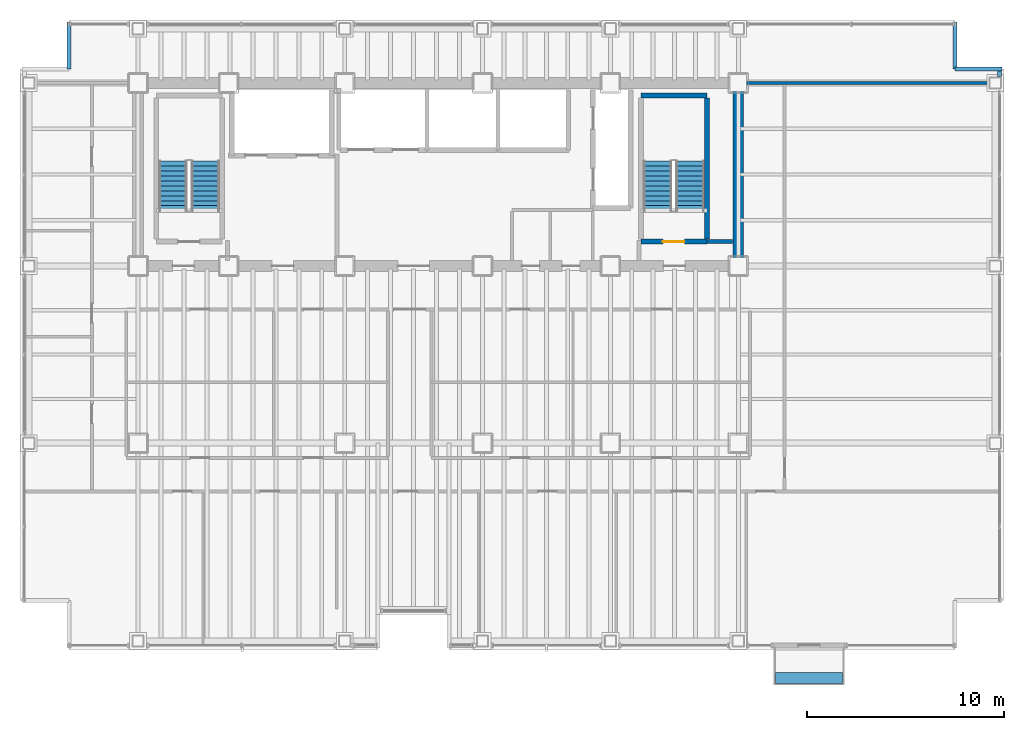
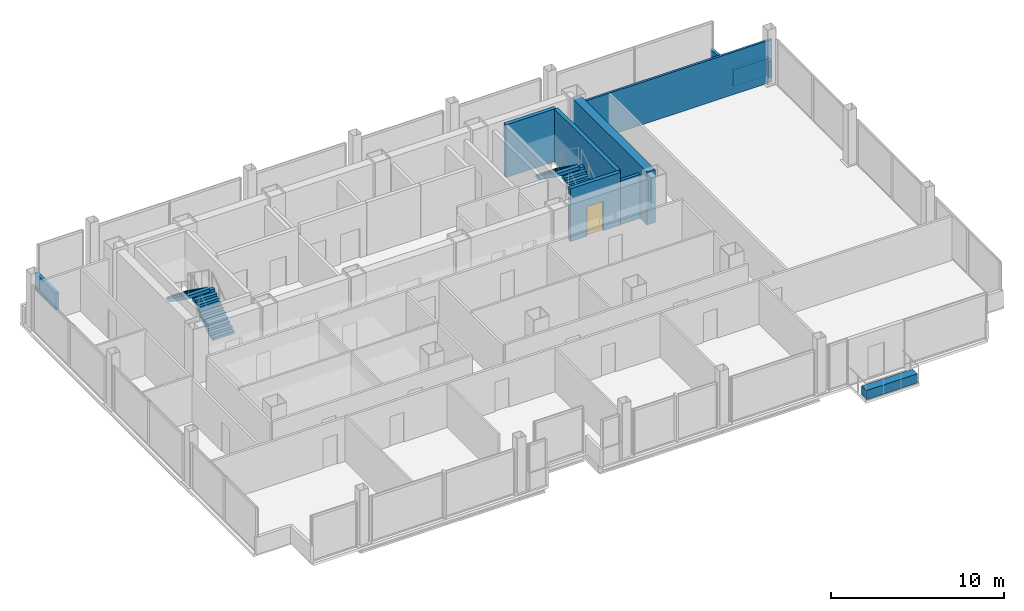
# One storey, part 20 of 22: 10 walls, 4 stair flights, 1 discrete accessory, 1 door, 1 opening, 2 elements without a shape of their own.
"""IFC4 building model written with IfcOpenShell, lengths in metres."""

from ifc_helpers import new_model, si_unit, direction, frame, frame_2d, origin, origin_2d, place, context, subcontext, project, spatial, polyline, rectangle, outline, extrude, material, layer, layer_set, type_object, element, fill, aggregate, save


model = new_model("IFC4")

# Units and contexts
model_context = context("Model", 3, precision=1e-05, world=origin(), true_north=direction((0.0, 1.0)))
body_context = subcontext(model_context, "Body", "Model", "MODEL_VIEW")
ifc_project = project(units=[si_unit("LENGTHUNIT", "METRE"), si_unit("AREAUNIT", "SQUARE_METRE"), si_unit("VOLUMEUNIT", "CUBIC_METRE"), si_unit("PLANEANGLEUNIT", "RADIAN"), si_unit("MASSUNIT", "GRAM", prefix="KILO")], contexts=[model_context])

# Site, building, storey
site_placement = place(None, origin())
site = spatial("IfcSite", under=ifc_project, at=site_placement, CompositionType="ELEMENT")
building_placement = place(site_placement, origin())
building = spatial("IfcBuilding", under=site, at=building_placement, Name="Noeulbin Bourse Tower", CompositionType="ELEMENT")
storey_placement = place(building_placement, frame((0.0, 0.0, 85.0)))
storey = spatial("IfcBuildingStorey", under=building, at=storey_placement, Name="L21", CompositionType="ELEMENT", Elevation=85.0)

# Walls
ifc_material_1 = material(Name="Concrete C60/75", Category="concrete")
ifc_layer_1 = layer(ifc_material_1, 0.550048828125)
ifc_layer_set_1 = layer_set([ifc_layer_1], Name="Concrete C60/75")
wall_type_1 = type_object("IfcWallType", Name="WAL-CORE-550", PredefinedType="SHEAR", material=ifc_layer_set_1)
wall_1_placement = place(storey_placement, frame((44.0, 29.35009765625, 0.0), z_axis=(0.0, 0.0, 1.0), x_axis=(0.0, 1.0, 0.0)))
element("IfcWall", 1, at=wall_1_placement, inside=storey, type_object=wall_type_1, Name="Rear Core East Shear Wall L21", PredefinedType="SHEAR", context=body_context, shape_type="SweptSolid", body=[
    extrude(rectangle(XDim=8.599853515625, YDim=0.550048828125, at=frame_2d((4.2998046875, 0.0))), origin(), (0.0, 0.0, 1.0), 3.719970703125),
])
ifc_material_2 = material(Name="Concrete C40/50", Category="concrete")
ifc_layer_2 = layer(ifc_material_2, 0.199951171875)
ifc_layer_set_2 = layer_set([ifc_layer_2], Name="Concrete C40/50")
wall_type_2 = type_object("IfcWallType", Name="WAL-FIRE-200", PredefinedType="STANDARD", material=ifc_layer_set_2)
wall_2_placement = place(storey_placement, frame((42.39990234375, 30.239990234375, 0.0), z_axis=(0.0, 0.0, 1.0), x_axis=(1.0, 0.0, 0.0)))
element("IfcWall", 2, at=wall_2_placement, inside=storey, type_object=wall_type_2, Name="Interior Partition Wall L21-01", PredefinedType="STANDARD", context=body_context, shape_type="SweptSolid", body=[
    extrude(rectangle(XDim=1.315185546875, YDim=0.199951171875, at=frame_2d((0.65771484375, 0.0))), origin(), (0.0, 0.0, 1.0), 3.10009765625),
])
ifc_layer_3 = layer(ifc_material_2, 0.199951171875)
ifc_layer_set_3 = layer_set([ifc_layer_3], Name="Concrete C40/50")
wall_type_3 = type_object("IfcWallType", Name="WAL-PAR-200", PredefinedType="PARAPET", material=ifc_layer_set_3)
wall_3_placement = place(storey_placement, frame((57.280029296875, 38.6201171875, 0.0), z_axis=(0.0, 0.0, 1.0), x_axis=(0.0, 1.0, 0.0)))
element("IfcWall", 3, at=wall_3_placement, inside=storey, type_object=wall_type_3, Name="Perimeter Pier Spandrel Parapet L21-E2", PredefinedType="PARAPET", context=body_context, shape_type="SweptSolid", body=[
    extrude(rectangle(XDim=0.27978515625, YDim=0.199951171875, at=frame_2d((0.139892578125, 0.0))), origin(), (0.0, 0.0, 1.0), 1.199951171875),
])
for number, where, z_axis, x_axis, name in (
    (4, (10.0, 39.0, 0.0), (0.0, 0.0, 1.0), (0.0, 1.0, 0.0), "Corner Notch Parapet L21-NW2"),
    (5, (55.0, 41.39990234375, 0.0), (0.0, 0.0, 1.0), (0.0, -1.0, 0.0), "Corner Notch Parapet L21-NE1"),
    (6, (55.0, 39.0, 0.0), (0.0, 0.0, 1.0), (1.0, 0.0, 0.0), "Corner Notch Parapet L21-NE2"),
):
    element("IfcWall", number, at=place(storey_placement, frame(where, z_axis=z_axis, x_axis=x_axis)), inside=storey, type_object=wall_type_3, Name=name, PredefinedType="PARAPET", context=body_context, shape_type="SweptSolid", body=[
        extrude(rectangle(XDim=2.39990234375, YDim=0.199951171875, at=frame_2d((1.199951171875, 0.0))), origin(), (0.0, 0.0, 1.0), 1.199951171875),
    ])
ifc_material_3 = material(Name="Steel Stud Acoustic Gypsum Board", Category="steel")
ifc_layer_4 = layer(ifc_material_3, 0.14990234375)
ifc_layer_set_4 = layer_set([ifc_layer_4], Name="Steel Stud Acoustic Gypsum Board")
wall_type_4 = type_object("IfcWallType", Name="WAL-PRT-150", PredefinedType="PARTITIONING", material=ifc_layer_set_4)
wall_4_placement = place(storey_placement, frame((44.0, 38.300048828125, 0.0), z_axis=(0.0, 0.0, 1.0), x_axis=(1.0, 0.0, 0.0)))
element("IfcWall", 7, at=wall_4_placement, inside=storey, type_object=wall_type_4, Name="Interior Partition Wall L21-08", PredefinedType="PARTITIONING", context=body_context, shape_type="SweptSolid", body=[
    extrude(rectangle(XDim=13.18994140625, YDim=0.14990234375, at=frame_2d((6.594970703125, 0.0))), origin(), (0.0, 0.0, 1.0), 3.0),
])

# Wall, opening, door
ifc_layer_5 = layer(ifc_material_2, 0.25)
ifc_layer_set_5 = layer_set([ifc_layer_5], Name="Concrete C40/50")
wall_type_5 = type_object("IfcWallType", Name="WAL-SHFT-250", PredefinedType="STANDARD", material=ifc_layer_set_5)
wall_5_placement = place(storey_placement, frame((39.06005859375, 30.235107421875, 0.0), z_axis=(0.0, 0.0, 1.0), x_axis=(1.0, 0.0, 0.0)))
wall_5 = element("IfcWall", 8, at=wall_5_placement, inside=storey, type_object=wall_type_5, Name="Stair ST-2 South Shaft Wall L21", PredefinedType="STANDARD", context=body_context, shape_type="SweptSolid", body=[
    extrude(rectangle(XDim=3.33984375, YDim=0.25, at=frame_2d((1.669921875, 0.0))), origin(), (0.0, 0.0, 1.0), 3.719970703125),
])
opening_placement = place(wall_5_placement, frame((1.10009765625, 0.0, 0.0)))
opening = element("IfcOpeningElement", 9, at=opening_placement, cuts=wall_5, Name="Opening FD-11", PredefinedType="OPENING", context=body_context, shape_type="SweptSolid", body=[
    extrude(rectangle(XDim=1.10009765625, YDim=2.080078125, at=frame_2d((0.550048828125, 1.0400390625))), frame((0.0, 0.135009765625, 0.0), z_axis=(0.0, -1.0, 0.0), x_axis=(1.0, 0.0, 0.0)), (0.0, 0.0, 1.0), 0.27001953125),
])
ifc_material_4 = material(Name="Fire-Rated Insulated Steel", Category="steel")
door_type = type_object("IfcDoorType", Name="DR-FD60-1100", OperationType="SINGLE_SWING_LEFT", PredefinedType="DOOR", material=ifc_material_4)
door_placement = place(opening_placement, origin())
door = element("IfcDoor", 10, at=door_placement, inside=storey, type_object=door_type, Name="Protected Stair Entry Door ST2-L21", OperationType="SINGLE_SWING_LEFT", OverallHeight=2.080078125, OverallWidth=1.10009765625, PredefinedType="DOOR", context=body_context, shape_type="SweptSolid", body=[
    extrude(rectangle(XDim=1.10009765625, YDim=2.080078125, at=frame_2d((0.550048828125, 1.0400390625))), frame((0.0, 0.02490234375, 0.0), z_axis=(0.0, -1.0, 0.0), x_axis=(1.0, 0.0, 0.0)), (0.0, 0.0, 1.0), 0.050048828125),
])
fill(opening, door)

# Walls
wall_6_placement = place(storey_placement, frame((39.06005859375, 37.6689453125, 0.0), z_axis=(0.0, 0.0, 1.0), x_axis=(1.0, 0.0, 0.0)))
element("IfcWall", 11, at=wall_6_placement, inside=storey, type_object=wall_type_5, Name="Stair ST-2 North Shaft Wall L21", PredefinedType="STANDARD", context=body_context, shape_type="SweptSolid", body=[
    extrude(rectangle(XDim=3.33984375, YDim=0.25, at=frame_2d((1.669921875, 0.0))), origin(), (0.0, 0.0, 1.0), 3.719970703125),
])
wall_7_placement = place(storey_placement, frame((42.405029296875, 30.360107421875, 0.0), z_axis=(0.0, 0.0, 1.0), x_axis=(0.0, 1.0, 0.0)))
element("IfcWall", 12, at=wall_7_placement, inside=storey, type_object=wall_type_5, Name="Stair ST-2 East Shaft Wall L21", PredefinedType="STANDARD", context=body_context, shape_type="SweptSolid", body=[
    extrude(rectangle(XDim=7.183837890625, YDim=0.25, at=frame_2d((3.591796875, 0.0))), origin(), (0.0, 0.0, 1.0), 3.719970703125),
])

# Stair, stair flights
stair_type = type_object("IfcStairType", Name="STR-CORE-1560", PredefinedType="HALF_TURN_STAIR", material=ifc_material_2)
stair_1_placement = place(storey_placement, origin())
stair_1 = element("IfcStair", 13, at=stair_1_placement, inside=storey, type_object=stair_type, Name="L21 ST-1", PredefinedType="HALF_TURN_STAIR")
stair_flight_type = type_object("IfcStairFlightType", Name="SFL-CORE-1560", PredefinedType="STRAIGHT", material=ifc_material_2)
stair_flight_1_placement = place(storey_placement, frame((16.925048828125, 31.81005859375, 0.0), z_axis=(0.0, 0.0, 1.0), x_axis=(0.0, 1.0, 0.0)))
stair_flight_1 = element("IfcStairFlight", 14, at=stair_flight_1_placement, type_object=stair_flight_type, Name="ST-1 flight 1", NumberOfRisers=11, NumberOfTreads=10, PredefinedType="STRAIGHT", RiserHeight=0.177272727, TreadLength=0.252, context=body_context, shape_type="SweptSolid", body=[
    extrude(outline(polyline([(0.0, 0.0), (0.0, 0.17724609375), (0.251953125, 0.17724609375), (0.251953125, 0.3544921875), (0.50390625, 0.3544921875), (0.50390625, 0.53173828125), (0.756103515625, 0.53173828125), (0.756103515625, 0.708984375), (1.008056640625, 0.708984375), (1.008056640625, 0.886474609375), (1.260009765625, 0.886474609375), (1.260009765625, 1.063720703125), (1.511962890625, 1.063720703125), (1.511962890625, 1.240966796875), (1.763916015625, 1.240966796875), (1.763916015625, 1.418212890625), (2.01611328125, 1.418212890625), (2.01611328125, 1.595458984375), (2.26806640625, 1.595458984375), (2.26806640625, 1.772705078125), (2.52001953125, 1.772705078125), (2.52001953125, 1.949951171875), (2.52001953125, 1.552734375), (0.312744140625, 0.0), (0.0, 0.0)])), frame((0.0, 0.72509765625, 0.0), z_axis=(0.0, -1.0, 0.0), x_axis=(1.0, 0.0, 0.0)), (0.0, 0.0, 1.0), 1.449951171875),
])
stair_flight_2_placement = place(storey_placement, frame((15.27490234375, 34.330078125, 1.949951171875), z_axis=(0.0, 0.0, 1.0), x_axis=(0.0, -1.0, 0.0)))
stair_flight_2 = element("IfcStairFlight", 15, at=stair_flight_2_placement, type_object=stair_flight_type, Name="ST-1 flight 2", NumberOfRisers=11, NumberOfTreads=10, PredefinedType="STRAIGHT", RiserHeight=0.177272727, TreadLength=0.252, context=body_context, shape_type="SweptSolid", body=[
    extrude(outline(polyline([(0.0, 0.0), (0.0, 0.17724609375), (0.251953125, 0.17724609375), (0.251953125, 0.3544921875), (0.50390625, 0.3544921875), (0.50390625, 0.53173828125), (0.756103515625, 0.53173828125), (0.756103515625, 0.708984375), (1.008056640625, 0.708984375), (1.008056640625, 0.886474609375), (1.260009765625, 0.886474609375), (1.260009765625, 1.063720703125), (1.511962890625, 1.063720703125), (1.511962890625, 1.240966796875), (1.763916015625, 1.240966796875), (1.763916015625, 1.418212890625), (2.01611328125, 1.418212890625), (2.01611328125, 1.595458984375), (2.26806640625, 1.595458984375), (2.26806640625, 1.772705078125), (2.52001953125, 1.772705078125), (2.52001953125, 1.949951171875), (2.52001953125, 1.552734375), (0.312744140625, 0.0), (0.0, 0.0)])), frame((0.0, 0.72509765625, 0.0), z_axis=(0.0, -1.0, 0.0), x_axis=(1.0, 0.0, 0.0)), (0.0, 0.0, 1.0), 1.449951171875),
])
aggregate(stair_1, [stair_flight_1, stair_flight_2])

stair_2_placement = place(storey_placement, origin())
stair_2 = element("IfcStair", 16, at=stair_2_placement, inside=storey, type_object=stair_type, Name="L21 ST-2", PredefinedType="HALF_TURN_STAIR")
stair_flight_3_placement = place(storey_placement, frame((41.554931640625, 31.81005859375, 0.0), z_axis=(0.0, 0.0, 1.0), x_axis=(0.0, 1.0, 0.0)))
stair_flight_3 = element("IfcStairFlight", 17, at=stair_flight_3_placement, type_object=stair_flight_type, Name="ST-2 flight 1", NumberOfRisers=11, NumberOfTreads=10, PredefinedType="STRAIGHT", RiserHeight=0.177272727, TreadLength=0.252, context=body_context, shape_type="SweptSolid", body=[
    extrude(outline(polyline([(0.0, 0.0), (0.0, 0.17724609375), (0.251953125, 0.17724609375), (0.251953125, 0.3544921875), (0.50390625, 0.3544921875), (0.50390625, 0.53173828125), (0.756103515625, 0.53173828125), (0.756103515625, 0.708984375), (1.008056640625, 0.708984375), (1.008056640625, 0.886474609375), (1.260009765625, 0.886474609375), (1.260009765625, 1.063720703125), (1.511962890625, 1.063720703125), (1.511962890625, 1.240966796875), (1.763916015625, 1.240966796875), (1.763916015625, 1.418212890625), (2.01611328125, 1.418212890625), (2.01611328125, 1.595458984375), (2.26806640625, 1.595458984375), (2.26806640625, 1.772705078125), (2.52001953125, 1.772705078125), (2.52001953125, 1.949951171875), (2.52001953125, 1.552734375), (0.312744140625, 0.0), (0.0, 0.0)])), frame((0.0, 0.72509765625, 0.0), z_axis=(0.0, -1.0, 0.0), x_axis=(1.0, 0.0, 0.0)), (0.0, 0.0, 1.0), 1.449951171875),
])
stair_flight_4_placement = place(storey_placement, frame((39.905029296875, 34.330078125, 1.949951171875), z_axis=(0.0, 0.0, 1.0), x_axis=(0.0, -1.0, 0.0)))
stair_flight_4 = element("IfcStairFlight", 18, at=stair_flight_4_placement, type_object=stair_flight_type, Name="ST-2 flight 2", NumberOfRisers=11, NumberOfTreads=10, PredefinedType="STRAIGHT", RiserHeight=0.177272727, TreadLength=0.252, context=body_context, shape_type="SweptSolid", body=[
    extrude(outline(polyline([(0.0, 0.0), (0.0, 0.17724609375), (0.251953125, 0.17724609375), (0.251953125, 0.3544921875), (0.50390625, 0.3544921875), (0.50390625, 0.53173828125), (0.756103515625, 0.53173828125), (0.756103515625, 0.708984375), (1.008056640625, 0.708984375), (1.008056640625, 0.886474609375), (1.260009765625, 0.886474609375), (1.260009765625, 1.063720703125), (1.511962890625, 1.063720703125), (1.511962890625, 1.240966796875), (1.763916015625, 1.240966796875), (1.763916015625, 1.418212890625), (2.01611328125, 1.418212890625), (2.01611328125, 1.595458984375), (2.26806640625, 1.595458984375), (2.26806640625, 1.772705078125), (2.52001953125, 1.772705078125), (2.52001953125, 1.949951171875), (2.52001953125, 1.552734375), (0.312744140625, 0.0), (0.0, 0.0)])), frame((0.0, 0.72509765625, 0.0), z_axis=(0.0, -1.0, 0.0), x_axis=(1.0, 0.0, 0.0)), (0.0, 0.0, 1.0), 1.449951171875),
])
aggregate(stair_2, [stair_flight_3, stair_flight_4])

# Discrete accessory
ifc_material_5 = material(Name="Architectural GFRC Concrete C40/50", Category="concrete")
ifc_layer_6 = layer(ifc_material_5, 0.64990234375)
ifc_layer_set_6 = layer_set([ifc_layer_6], Name="Architectural GFRC Concrete C40/50")
discrete_accessory_type = type_object("IfcDiscreteAccessoryType", Name="PLANTER-BOX-3600", PredefinedType="USERDEFINED", material=ifc_layer_set_6)
discrete_accessory_placement = place(storey_placement, frame((47.60009765625, 8.06005859375, 0.0), z_axis=(0.0, 0.0, 1.0), x_axis=(1.0, 0.0, 0.0)))
element("IfcDiscreteAccessory", 19, at=discrete_accessory_placement, inside=storey, type_object=discrete_accessory_type, Name="Integrated Balcony Tree Planter Box L21", ObjectType="PLANTER", PredefinedType="USERDEFINED", context=body_context, shape_type="SweptSolid", body=[
    extrude(rectangle(XDim=3.39990234375, YDim=0.550048828125, at=origin_2d()), origin(), (0.0, 0.0, 1.0), 0.64990234375),
])

save(model, "model.ifc")
